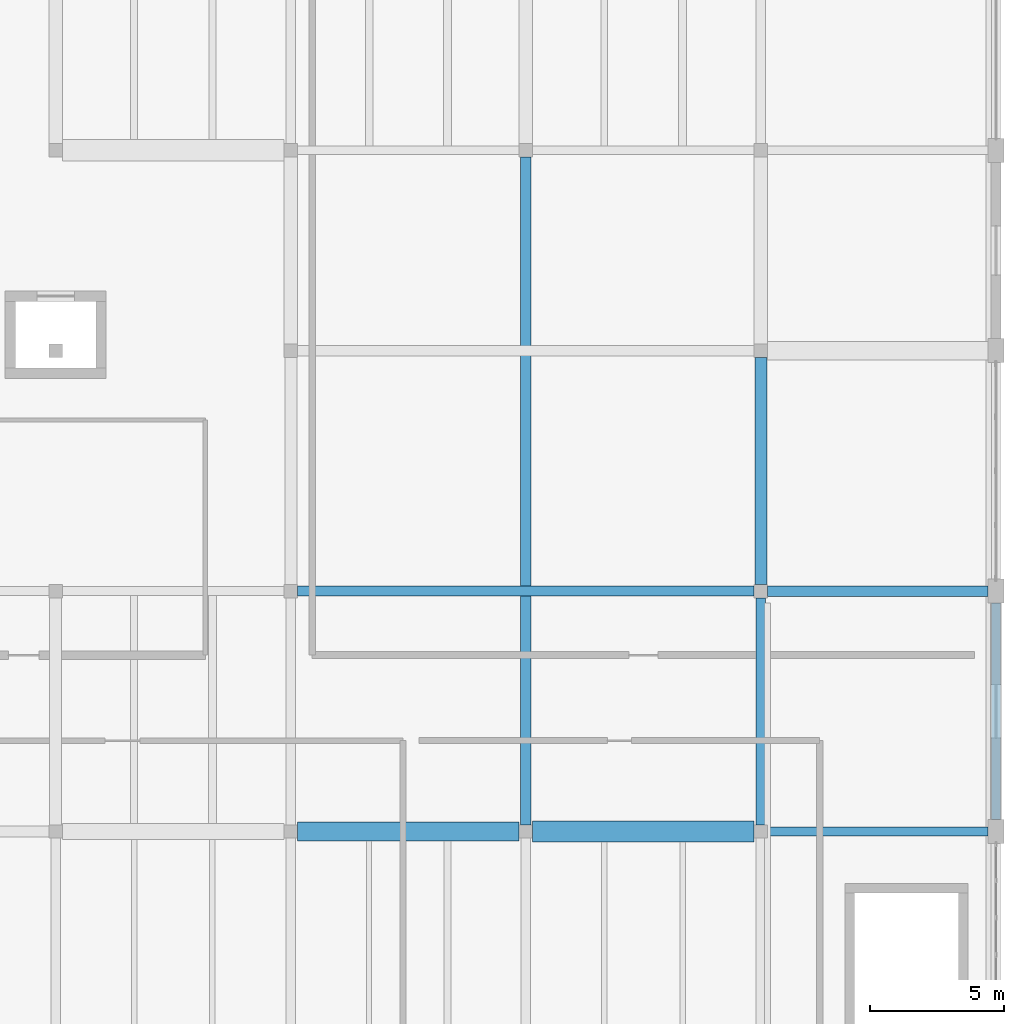
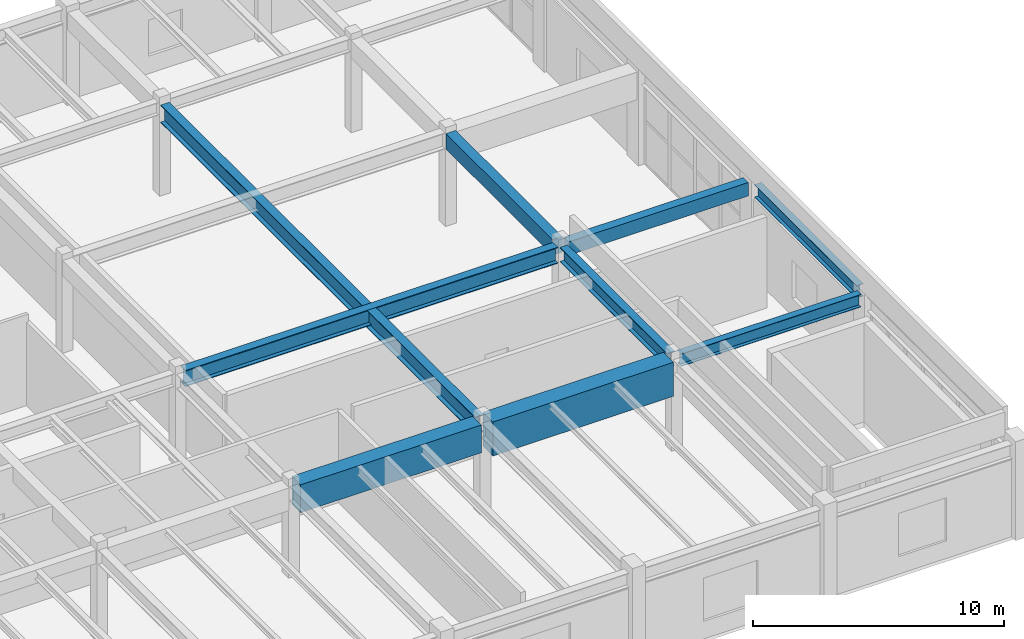
# One storey, part 45 of 80: 9 beams.
"""IFC4 building model written with IfcOpenShell, lengths in metres."""

from ifc_helpers import new_model, si_unit, direction, frame, origin, origin_2d, place, context, subcontext, project, spatial, rectangle, i_section, extrude, material, material_profile, profile_set, type_object, element, save


model = new_model("IFC4")

# Units and contexts
model_context = context("Model", 3, precision=1e-05, world=origin(), true_north=direction((0.0, 1.0)))
body_context = subcontext(model_context, "Body", "Model", "MODEL_VIEW")
ifc_project = project(units=[si_unit("LENGTHUNIT", "METRE"), si_unit("AREAUNIT", "SQUARE_METRE"), si_unit("VOLUMEUNIT", "CUBIC_METRE"), si_unit("PLANEANGLEUNIT", "RADIAN"), si_unit("MASSUNIT", "GRAM", prefix="KILO")], contexts=[model_context])

# Site, building, storey
site_placement = place(None, origin())
site = spatial("IfcSite", under=ifc_project, at=site_placement, CompositionType="ELEMENT")
building_placement = place(site_placement, origin())
building = spatial("IfcBuilding", under=site, at=building_placement, Name="Vaelkrest Opera House", CompositionType="ELEMENT")
storey_placement = place(building_placement, frame((0.0, 0.0, 15.0)))
storey = spatial("IfcBuildingStorey", under=building, at=storey_placement, Name="L03", CompositionType="ELEMENT", Elevation=15.0)

# Beams
ifc_material_1 = material(Name="Concrete C50/60", Category="concrete")
ifc_material_profile_1 = material_profile(ifc_material_1, rectangle(XDim=0.39990234375, YDim=0.64990234375, at=origin_2d()), Name="RCB400X650")
ifc_profile_set_1 = profile_set([ifc_material_profile_1], Name="Concrete C50/60")
beam_type_1 = type_object("IfcBeamType", Name="B01", PredefinedType="BEAM", material=ifc_profile_set_1)
beam_1_placement = place(storey_placement, frame((69.050048828125, 1.199951171875, 4.179931640625), z_axis=(1.0, 0.0, 0.0), x_axis=(0.0, 1.0, 0.0)))
element("IfcBeam", 1, at=beam_1_placement, inside=storey, type_object=beam_type_1, Name="Beam BM-V4-L03-2349", PredefinedType="BEAM", context=body_context, shape_type="SweptSolid", body=[
    extrude(rectangle(XDim=0.39990234375, YDim=0.64990234375, at=origin_2d()), origin(), (0.0, 0.0, 1.0), 8.25),
])
ifc_material_profile_2 = material_profile(ifc_material_1, rectangle(XDim=0.449951171875, YDim=0.75, at=origin_2d()), Name="RCB450X750")
ifc_profile_set_2 = profile_set([ifc_material_profile_2], Name="Concrete C50/60")
beam_type_2 = type_object("IfcBeamType", Name="B02", PredefinedType="BEAM", material=ifc_profile_set_2)
beam_2_placement = place(storey_placement, frame((68.800048828125, 1.449951171875, 4.1298828125), z_axis=(0.0, 1.0, 0.0), x_axis=(-1.0, 0.0, 0.0)))
element("IfcBeam", 2, at=beam_2_placement, inside=storey, type_object=beam_type_2, Name="Beam BM-V4-L03-2379", PredefinedType="BEAM", context=body_context, shape_type="SweptSolid", body=[
    extrude(rectangle(XDim=0.449951171875, YDim=0.75, at=origin_2d()), origin(), (0.0, 0.0, 1.0), 8.5),
])
ifc_material_profile_3 = material_profile(ifc_material_1, rectangle(XDim=0.699951171875, YDim=1.35009765625, at=origin_2d()), Name="RCB700X1350")
ifc_profile_set_3 = profile_set([ifc_material_profile_3], Name="Concrete C50/60")
beam_type_3 = type_object("IfcBeamType", Name="B06", PredefinedType="BEAM", material=ifc_profile_set_3)
beam_3_placement = place(storey_placement, frame((51.449951171875, -7.800048828125, 3.7451171875), z_axis=(1.0, 0.0, 0.0), x_axis=(0.0, 1.0, 0.0)))
element("IfcBeam", 3, at=beam_3_placement, inside=storey, type_object=beam_type_3, Name="Beam BM-V4-L03-2343", PredefinedType="BEAM", context=body_context, shape_type="SweptSolid", body=[
    extrude(rectangle(XDim=0.699951171875, YDim=1.35009765625, at=origin_2d()), origin(), (0.0, 0.0, 1.0), 8.300048828125),
])
ifc_material_profile_4 = material_profile(ifc_material_1, rectangle(XDim=0.800048828125, YDim=1.64990234375, at=origin_2d()), Name="RCB800X1650")
ifc_profile_set_4 = profile_set([ifc_material_profile_4], Name="Concrete C50/60")
beam_type_4 = type_object("IfcBeamType", Name="B07", PredefinedType="BEAM", material=ifc_profile_set_4)
beam_4_placement = place(storey_placement, frame((60.25, -7.800048828125, 3.594970703125), z_axis=(1.0, 0.0, 0.0), x_axis=(0.0, 1.0, 0.0)))
element("IfcBeam", 4, at=beam_4_placement, inside=storey, type_object=beam_type_4, Name="Beam BM-V4-L03-2344", PredefinedType="BEAM", context=body_context, shape_type="SweptSolid", body=[
    extrude(rectangle(XDim=0.800048828125, YDim=1.64990234375, at=origin_2d()), origin(), (0.0, 0.0, 1.0), 8.300048828125),
])
ifc_material_2 = material(Name="Steel A992 Gr50", Category="steel")
ifc_material_profile_5 = material_profile(ifc_material_2, i_section(OverallWidth=0.323974609375, OverallDepth=0.611083984375, WebThickness=0.0126953125, FlangeThickness=0.01904296875, at=origin_2d()), Name="W24X104")
ifc_profile_set_5 = profile_set([ifc_material_profile_5], Name="Steel A992 Gr50")
beam_type_5 = type_object("IfcBeamType", Name="B08", PredefinedType="BEAM", material=ifc_profile_set_5)
beam_5_placement = place(storey_placement, frame((69.050048828125, -7.800048828125, 4.199462890625), z_axis=(1.0, 0.0, 0.0), x_axis=(0.0, 1.0, 0.0)))
element("IfcBeam", 5, at=beam_5_placement, inside=storey, type_object=beam_type_5, Name="Beam BM-V4-L03-2345", PredefinedType="BEAM", context=body_context, shape_type="SweptSolid", body=[
    extrude(i_section(OverallWidth=0.323974609375, OverallDepth=0.611083984375, WebThickness=0.0126953125, FlangeThickness=0.01904296875, at=origin_2d()), origin(), (0.0, 0.0, 1.0), 8.25),
])
ifc_material_profile_6 = material_profile(ifc_material_2, i_section(OverallWidth=0.39892578125, OverallDepth=0.85498046875, WebThickness=0.018310546875, FlangeThickness=0.029296875, at=origin_2d()), Name="W33X201")
ifc_profile_set_6 = profile_set([ifc_material_profile_6], Name="Steel A992 Gr50")
beam_type_6 = type_object("IfcBeamType", Name="B12", PredefinedType="BEAM", material=ifc_profile_set_6)
beam_6_placement = place(storey_placement, frame((60.0, -7.550048828125, 3.992431640625), z_axis=(0.0, 1.0, 0.0), x_axis=(-1.0, 0.0, 0.0)))
element("IfcBeam", 6, at=beam_6_placement, inside=storey, type_object=beam_type_6, Name="Beam BM-V4-L03-2375", PredefinedType="BEAM", context=body_context, shape_type="SweptSolid", body=[
    extrude(i_section(OverallWidth=0.39892578125, OverallDepth=0.85498046875, WebThickness=0.018310546875, FlangeThickness=0.029296875, at=origin_2d()), origin(), (0.0, 0.0, 1.0), 25.0),
])
ifc_material_profile_7 = material_profile(ifc_material_2, i_section(OverallWidth=0.35791015625, OverallDepth=0.7060546875, WebThickness=0.018310546875, FlangeThickness=0.0302734375, at=origin_2d()), Name="W27X178")
ifc_profile_set_7 = profile_set([ifc_material_profile_7], Name="Steel A992 Gr50")
beam_type_7 = type_object("IfcBeamType", Name="B14", PredefinedType="BEAM", material=ifc_profile_set_7)
beam_7_placement = place(storey_placement, frame((68.800048828125, -7.550048828125, 4.06689453125), z_axis=(0.0, 1.0, 0.0), x_axis=(-1.0, 0.0, 0.0)))
element("IfcBeam", 7, at=beam_7_placement, inside=storey, type_object=beam_type_7, Name="Beam BM-V4-L03-2378", PredefinedType="BEAM", context=body_context, shape_type="SweptSolid", body=[
    extrude(i_section(OverallWidth=0.35791015625, OverallDepth=0.7060546875, WebThickness=0.018310546875, FlangeThickness=0.0302734375, at=origin_2d()), origin(), (0.0, 0.0, 1.0), 8.5),
])
ifc_material_profile_8 = material_profile(ifc_material_2, i_section(OverallWidth=0.384033203125, OverallDepth=0.785888671875, WebThickness=0.019775390625, FlangeThickness=0.033447265625, at=origin_2d()), Name="W30X211")
ifc_profile_set_8 = profile_set([ifc_material_profile_8], Name="Steel A992 Gr50")
beam_type_8 = type_object("IfcBeamType", Name="B16", PredefinedType="BEAM", material=ifc_profile_set_8)
beam_8_placement = place(storey_placement, frame((51.449951171875, 1.199951171875, 4.027099609375), z_axis=(1.0, 0.0, 0.0), x_axis=(0.0, 1.0, 0.0)))
element("IfcBeam", 8, at=beam_8_placement, inside=storey, type_object=beam_type_8, Name="Beam BM-V4-L03-2348", PredefinedType="BEAM", context=body_context, shape_type="SweptSolid", body=[
    extrude(i_section(OverallWidth=0.384033203125, OverallDepth=0.785888671875, WebThickness=0.019775390625, FlangeThickness=0.033447265625, at=origin_2d()), origin(), (0.0, 0.0, 1.0), 17.10009765625),
])
ifc_material_profile_9 = material_profile(ifc_material_2, i_section(OverallWidth=0.323974609375, OverallDepth=0.611083984375, WebThickness=0.0126953125, FlangeThickness=0.01904296875, at=origin_2d()), Name="W24X104")
ifc_profile_set_9 = profile_set([ifc_material_profile_9], Name="Steel A992 Gr50")
beam_type_9 = type_object("IfcBeamType", Name="SP01", PredefinedType="SPANDREL", material=ifc_profile_set_9)
beam_9_placement = place(storey_placement, frame((77.60009765625, -7.35009765625, 4.199462890625), z_axis=(0.0, 1.0, 0.0), x_axis=(-1.0, 0.0, 0.0)))
element("IfcBeam", 9, at=beam_9_placement, inside=storey, type_object=beam_type_9, Name="Beam BM-V4-L03-2383", PredefinedType="SPANDREL", context=body_context, shape_type="SweptSolid", body=[
    extrude(i_section(OverallWidth=0.323974609375, OverallDepth=0.611083984375, WebThickness=0.0126953125, FlangeThickness=0.01904296875, at=origin_2d()), origin(), (0.0, 0.0, 1.0), 8.10009765625),
])

save(model, "model.ifc")
